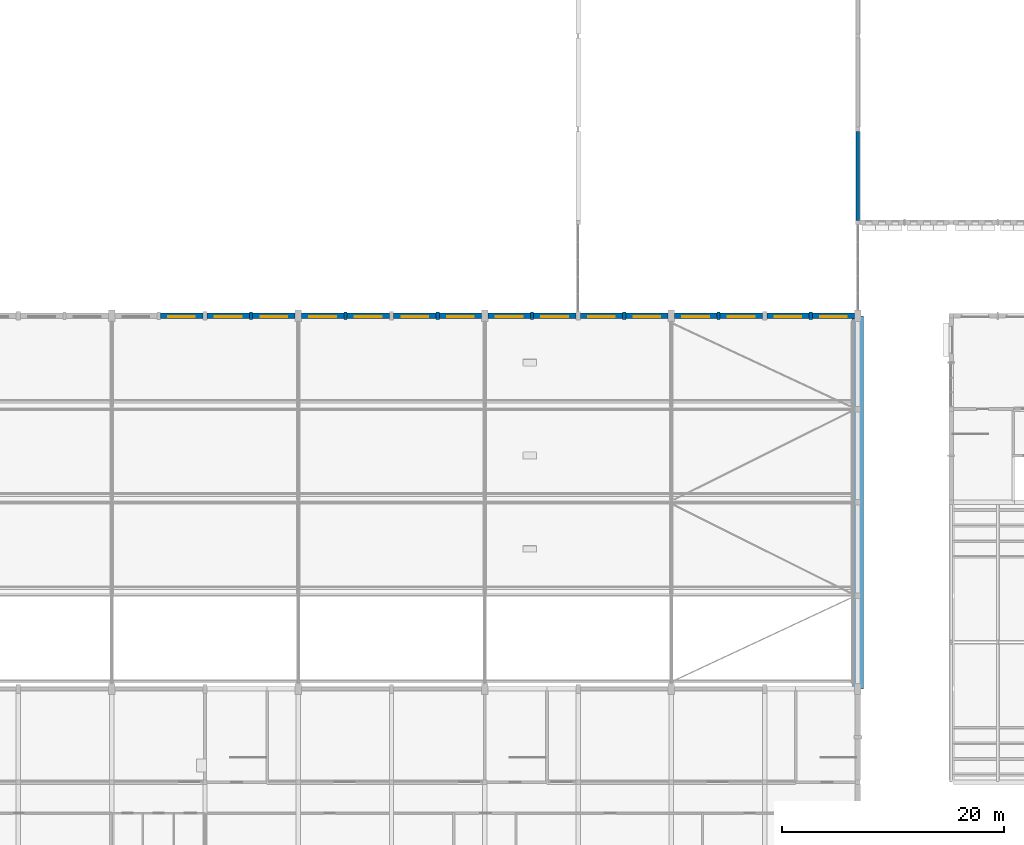
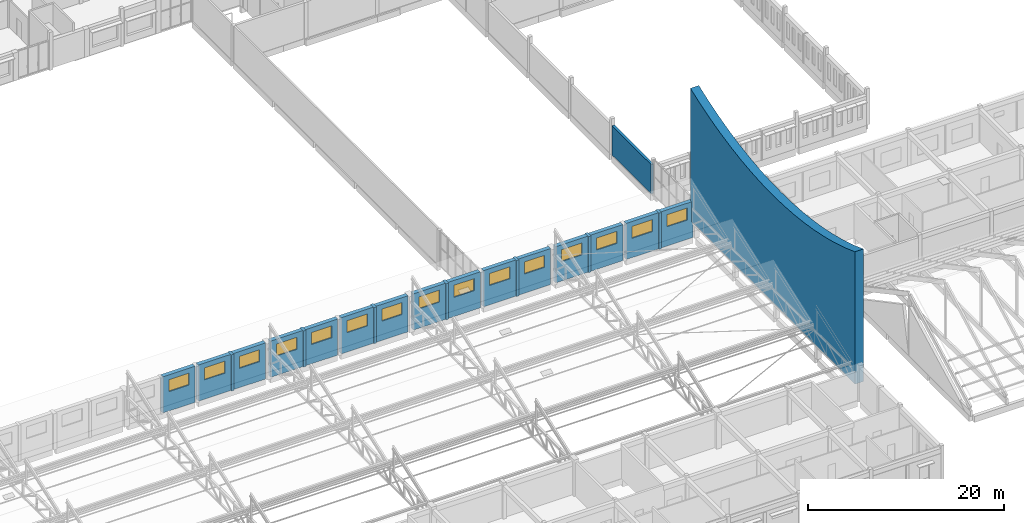
# One storey, part 76 of 101: 24 walls, 15 windows, 15 openings.
"""IFC4 building model written with IfcOpenShell, lengths in metres."""

from ifc_helpers import new_model, si_unit, direction, frame, frame_2d, origin, place, context, subcontext, project, spatial, polyline, rectangle, outline, extrude, material, layer, layer_set, type_object, element, fill, save


model = new_model("IFC4")

# Units and contexts
model_context = context("Model", 3, precision=1e-05, world=origin(), true_north=direction((0.0, 1.0)))
body_context = subcontext(model_context, "Body", "Model", "MODEL_VIEW")
ifc_project = project(units=[si_unit("LENGTHUNIT", "METRE"), si_unit("AREAUNIT", "SQUARE_METRE"), si_unit("VOLUMEUNIT", "CUBIC_METRE"), si_unit("PLANEANGLEUNIT", "RADIAN"), si_unit("MASSUNIT", "GRAM", prefix="KILO")], contexts=[model_context])

# Site, building, storey
site_placement = place(None, origin())
site = spatial("IfcSite", under=ifc_project, at=site_placement, CompositionType="ELEMENT")
building_placement = place(site_placement, origin())
building = spatial("IfcBuilding", under=site, at=building_placement, Name="Fescue Hill Polytechnic", CompositionType="ELEMENT")
storey_placement = place(building_placement, frame((0.0, 0.0, 9.0)))
storey = spatial("IfcBuildingStorey", under=building, at=storey_placement, Name="L02", CompositionType="ELEMENT", Elevation=9.0)

# Wall
ifc_material_1 = material(Name="Clay brick masonry", Category="masonry")
ifc_layer_1 = layer(ifc_material_1, 1.0)
ifc_layer_set_1 = layer_set([ifc_layer_1], Name="Clay brick masonry")
wall_type_1 = type_object("IfcWallType", Name="Brick crest wall 1000", PredefinedType="SOLIDWALL", material=ifc_layer_set_1)
wall_1_placement = place(storey_placement, frame((117.60009765625, 16.800048828125, 2.0), z_axis=(0.0, 0.0, 1.0), x_axis=(0.0, 1.0, 0.0)))
element("IfcWall", 1, at=wall_1_placement, inside=storey, type_object=wall_type_1, Name="Hall east gable crest", PredefinedType="SOLIDWALL", context=body_context, shape_type="SweptSolid", body=[
    extrude(outline(polyline([(0.0, 0.0), (33.599853515625, 0.0), (33.60009765625, 16.5), (31.5, 15.7529296875), (29.39990234375, 15.115234375), (27.300048828125, 14.582763671875), (25.199951171875, 14.151611328125), (23.10009765625, 13.819091796875), (21.0, 13.5830078125), (18.89990234375, 13.44189453125), (16.800048828125, 13.39501953125), (14.699951171875, 13.44189453125), (12.60009765625, 13.5830078125), (10.5, 13.819091796875), (8.39990234375, 14.151611328125), (6.300048828125, 14.582763671875), (4.199951171875, 15.115234375), (2.10009765625, 15.7529296875), (0.0, 16.5), (0.0, 0.0)])), frame((0.0, 0.5, 0.0), z_axis=(0.0, -1.0, 0.0), x_axis=(1.0, 0.0, 0.0)), (0.0, 0.0, 1.0), 1.0),
])

# Wall, opening, window
ifc_layer_2 = layer(ifc_material_1, 0.47998046875)
ifc_layer_set_2 = layer_set([ifc_layer_2], Name="Clay brick masonry")
wall_type_2 = type_object("IfcWallType", Name="Exterior wall engineering brick cavity 480", PredefinedType="SOLIDWALL", material=ifc_layer_set_2)
wall_2_placement = place(storey_placement, frame((117.300048828125, 50.39990234375, 0.0), z_axis=(0.0, 0.0, 1.0), x_axis=(-1.0, 0.0, 0.0)))
wall_2 = element("IfcWall", 2, at=wall_2_placement, inside=storey, type_object=wall_type_2, Name="EW-L02-V1-51", PredefinedType="SOLIDWALL", context=body_context, shape_type="SweptSolid", body=[
    extrude(rectangle(XDim=3.800048828125, YDim=0.47998046875, at=frame_2d((1.89990234375, 0.0))), origin(), (0.0, 0.0, 1.0), 4.5),
])
opening_1_placement = place(wall_2_placement, frame((0.699951171875, 0.0, 2.39990234375)))
opening_1 = element("IfcOpeningElement", 3, at=opening_1_placement, cuts=wall_2, Name="Opening W2", PredefinedType="OPENING", context=body_context, shape_type="SweptSolid", body=[
    extrude(rectangle(XDim=2.39990234375, YDim=1.5, at=frame_2d((1.199951171875, 0.75))), frame((0.0, 0.25, 0.0), z_axis=(0.0, -1.0, 0.0), x_axis=(1.0, 0.0, 0.0)), (0.0, 0.0, 1.0), 0.5),
])
ifc_material_2 = material(Name="Powder-coated aluminium and glass", Category="aluminium")
window_type = type_object("IfcWindowType", Name="Window workshop high 2400x1500", PartitioningType="TRIPLE_PANEL_VERTICAL", PredefinedType="WINDOW", material=ifc_material_2)
window_1_placement = place(opening_1_placement, origin())
window_1 = element("IfcWindow", 4, at=window_1_placement, inside=storey, type_object=window_type, Name="WN-L02-V1-27", OverallHeight=1.5, OverallWidth=2.39990234375, PartitioningType="SINGLE_PANEL", PredefinedType="WINDOW", context=body_context, shape_type="SweptSolid", body=[
    extrude(rectangle(XDim=2.39990234375, YDim=1.5, at=frame_2d((1.199951171875, 0.75))), frame((0.0, 0.1201171875, 0.0), z_axis=(0.0, -1.0, 0.0), x_axis=(1.0, 0.0, 0.0)), (0.0, 0.0, 1.0), 0.06005859375),
])
fill(opening_1, window_1)

wall_3_placement = place(storey_placement, frame((113.199951171875, 50.39990234375, 0.0), z_axis=(0.0, 0.0, 1.0), x_axis=(-1.0, 0.0, 0.0)))
wall_3 = element("IfcWall", 5, at=wall_3_placement, inside=storey, type_object=wall_type_2, Name="EW-L02-V1-52", PredefinedType="SOLIDWALL", context=body_context, shape_type="SweptSolid", body=[
    extrude(rectangle(XDim=3.800048828125, YDim=0.47998046875, at=frame_2d((1.89990234375, 0.0))), origin(), (0.0, 0.0, 1.0), 4.5),
])
opening_2_placement = place(wall_3_placement, frame((0.699951171875, 0.0, 2.39990234375)))
opening_2 = element("IfcOpeningElement", 6, at=opening_2_placement, cuts=wall_3, Name="Opening W2", PredefinedType="OPENING", context=body_context, shape_type="SweptSolid", body=[
    extrude(rectangle(XDim=2.39990234375, YDim=1.5, at=frame_2d((1.199951171875, 0.75))), frame((0.0, 0.25, 0.0), z_axis=(0.0, -1.0, 0.0), x_axis=(1.0, 0.0, 0.0)), (0.0, 0.0, 1.0), 0.5),
])
window_2_placement = place(opening_2_placement, origin())
window_2 = element("IfcWindow", 7, at=window_2_placement, inside=storey, type_object=window_type, Name="WN-L02-V1-28", OverallHeight=1.5, OverallWidth=2.39990234375, PartitioningType="SINGLE_PANEL", PredefinedType="WINDOW", context=body_context, shape_type="SweptSolid", body=[
    extrude(rectangle(XDim=2.39990234375, YDim=1.5, at=frame_2d((1.199951171875, 0.75))), frame((0.0, 0.1201171875, 0.0), z_axis=(0.0, -1.0, 0.0), x_axis=(1.0, 0.0, 0.0)), (0.0, 0.0, 1.0), 0.06005859375),
])
fill(opening_2, window_2)

wall_4_placement = place(storey_placement, frame((109.0, 50.39990234375, 0.0), z_axis=(0.0, 0.0, 1.0), x_axis=(-1.0, 0.0, 0.0)))
wall_4 = element("IfcWall", 8, at=wall_4_placement, inside=storey, type_object=wall_type_2, Name="EW-L02-V1-53", PredefinedType="SOLIDWALL", context=body_context, shape_type="SweptSolid", body=[
    extrude(rectangle(XDim=3.800048828125, YDim=0.47998046875, at=frame_2d((1.89990234375, 0.0))), origin(), (0.0, 0.0, 1.0), 4.5),
])
opening_3_placement = place(wall_4_placement, frame((0.699951171875, 0.0, 2.39990234375)))
opening_3 = element("IfcOpeningElement", 9, at=opening_3_placement, cuts=wall_4, Name="Opening W2", PredefinedType="OPENING", context=body_context, shape_type="SweptSolid", body=[
    extrude(rectangle(XDim=2.39990234375, YDim=1.5, at=frame_2d((1.199951171875, 0.75))), frame((0.0, 0.25, 0.0), z_axis=(0.0, -1.0, 0.0), x_axis=(1.0, 0.0, 0.0)), (0.0, 0.0, 1.0), 0.5),
])
window_3_placement = place(opening_3_placement, origin())
window_3 = element("IfcWindow", 10, at=window_3_placement, inside=storey, type_object=window_type, Name="WN-L02-V1-29", OverallHeight=1.5, OverallWidth=2.39990234375, PartitioningType="SINGLE_PANEL", PredefinedType="WINDOW", context=body_context, shape_type="SweptSolid", body=[
    extrude(rectangle(XDim=2.39990234375, YDim=1.5, at=frame_2d((1.199951171875, 0.75))), frame((0.0, 0.1201171875, 0.0), z_axis=(0.0, -1.0, 0.0), x_axis=(1.0, 0.0, 0.0)), (0.0, 0.0, 1.0), 0.06005859375),
])
fill(opening_3, window_3)

wall_5_placement = place(storey_placement, frame((104.89990234375, 50.39990234375, 0.0), z_axis=(0.0, 0.0, 1.0), x_axis=(-1.0, 0.0, 0.0)))
wall_5 = element("IfcWall", 11, at=wall_5_placement, inside=storey, type_object=wall_type_2, Name="EW-L02-V1-54", PredefinedType="SOLIDWALL", context=body_context, shape_type="SweptSolid", body=[
    extrude(rectangle(XDim=3.7998046875, YDim=0.47998046875, at=frame_2d((1.89990234375, 0.0))), origin(), (0.0, 0.0, 1.0), 4.5),
])
opening_4_placement = place(wall_5_placement, frame((0.699951171875, 0.0, 2.39990234375)))
opening_4 = element("IfcOpeningElement", 12, at=opening_4_placement, cuts=wall_5, Name="Opening W2", PredefinedType="OPENING", context=body_context, shape_type="SweptSolid", body=[
    extrude(rectangle(XDim=2.39990234375, YDim=1.5, at=frame_2d((1.199951171875, 0.75))), frame((0.0, 0.25, 0.0), z_axis=(0.0, -1.0, 0.0), x_axis=(1.0, 0.0, 0.0)), (0.0, 0.0, 1.0), 0.5),
])
window_4_placement = place(opening_4_placement, origin())
window_4 = element("IfcWindow", 13, at=window_4_placement, inside=storey, type_object=window_type, Name="WN-L02-V1-30", OverallHeight=1.5, OverallWidth=2.39990234375, PartitioningType="SINGLE_PANEL", PredefinedType="WINDOW", context=body_context, shape_type="SweptSolid", body=[
    extrude(rectangle(XDim=2.39990234375, YDim=1.5, at=frame_2d((1.199951171875, 0.75))), frame((0.0, 0.1201171875, 0.0), z_axis=(0.0, -1.0, 0.0), x_axis=(1.0, 0.0, 0.0)), (0.0, 0.0, 1.0), 0.06005859375),
])
fill(opening_4, window_4)

wall_6_placement = place(storey_placement, frame((100.5, 50.39990234375, 0.0), z_axis=(0.0, 0.0, 1.0), x_axis=(-1.0, 0.0, 0.0)))
wall_6 = element("IfcWall", 14, at=wall_6_placement, inside=storey, type_object=wall_type_2, Name="EW-L02-V1-55", PredefinedType="SOLIDWALL", context=body_context, shape_type="SweptSolid", body=[
    extrude(rectangle(XDim=3.800048828125, YDim=0.47998046875, at=frame_2d((1.89990234375, 0.0))), origin(), (0.0, 0.0, 1.0), 4.5),
])
opening_5_placement = place(wall_6_placement, frame((0.699951171875, 0.0, 2.39990234375)))
opening_5 = element("IfcOpeningElement", 15, at=opening_5_placement, cuts=wall_6, Name="Opening W2", PredefinedType="OPENING", context=body_context, shape_type="SweptSolid", body=[
    extrude(rectangle(XDim=2.39990234375, YDim=1.5, at=frame_2d((1.199951171875, 0.75))), frame((0.0, 0.25, 0.0), z_axis=(0.0, -1.0, 0.0), x_axis=(1.0, 0.0, 0.0)), (0.0, 0.0, 1.0), 0.5),
])
window_5_placement = place(opening_5_placement, origin())
window_5 = element("IfcWindow", 16, at=window_5_placement, inside=storey, type_object=window_type, Name="WN-L02-V1-31", OverallHeight=1.5, OverallWidth=2.39990234375, PartitioningType="SINGLE_PANEL", PredefinedType="WINDOW", context=body_context, shape_type="SweptSolid", body=[
    extrude(rectangle(XDim=2.39990234375, YDim=1.5, at=frame_2d((1.199951171875, 0.75))), frame((0.0, 0.1201171875, 0.0), z_axis=(0.0, -1.0, 0.0), x_axis=(1.0, 0.0, 0.0)), (0.0, 0.0, 1.0), 0.06005859375),
])
fill(opening_5, window_5)

wall_7_placement = place(storey_placement, frame((96.39990234375, 50.39990234375, 0.0), z_axis=(0.0, 0.0, 1.0), x_axis=(-1.0, 0.0, 0.0)))
wall_7 = element("IfcWall", 17, at=wall_7_placement, inside=storey, type_object=wall_type_2, Name="EW-L02-V1-56", PredefinedType="SOLIDWALL", context=body_context, shape_type="SweptSolid", body=[
    extrude(rectangle(XDim=3.7998046875, YDim=0.47998046875, at=frame_2d((1.89990234375, 0.0))), origin(), (0.0, 0.0, 1.0), 4.5),
])
opening_6_placement = place(wall_7_placement, frame((0.699951171875, 0.0, 2.39990234375)))
opening_6 = element("IfcOpeningElement", 18, at=opening_6_placement, cuts=wall_7, Name="Opening W2", PredefinedType="OPENING", context=body_context, shape_type="SweptSolid", body=[
    extrude(rectangle(XDim=2.39990234375, YDim=1.5, at=frame_2d((1.199951171875, 0.75))), frame((0.0, 0.25, 0.0), z_axis=(0.0, -1.0, 0.0), x_axis=(1.0, 0.0, 0.0)), (0.0, 0.0, 1.0), 0.5),
])
window_6_placement = place(opening_6_placement, origin())
window_6 = element("IfcWindow", 19, at=window_6_placement, inside=storey, type_object=window_type, Name="WN-L02-V1-32", OverallHeight=1.5, OverallWidth=2.39990234375, PartitioningType="SINGLE_PANEL", PredefinedType="WINDOW", context=body_context, shape_type="SweptSolid", body=[
    extrude(rectangle(XDim=2.39990234375, YDim=1.5, at=frame_2d((1.199951171875, 0.75))), frame((0.0, 0.1201171875, 0.0), z_axis=(0.0, -1.0, 0.0), x_axis=(1.0, 0.0, 0.0)), (0.0, 0.0, 1.0), 0.06005859375),
])
fill(opening_6, window_6)

wall_8_placement = place(storey_placement, frame((92.199951171875, 50.39990234375, 0.0), z_axis=(0.0, 0.0, 1.0), x_axis=(-1.0, 0.0, 0.0)))
wall_8 = element("IfcWall", 20, at=wall_8_placement, inside=storey, type_object=wall_type_2, Name="EW-L02-V1-57", PredefinedType="SOLIDWALL", context=body_context, shape_type="SweptSolid", body=[
    extrude(rectangle(XDim=3.800048828125, YDim=0.47998046875, at=frame_2d((1.89990234375, 0.0))), origin(), (0.0, 0.0, 1.0), 4.5),
])
opening_7_placement = place(wall_8_placement, frame((0.699951171875, 0.0, 2.39990234375)))
opening_7 = element("IfcOpeningElement", 21, at=opening_7_placement, cuts=wall_8, Name="Opening W2", PredefinedType="OPENING", context=body_context, shape_type="SweptSolid", body=[
    extrude(rectangle(XDim=2.39990234375, YDim=1.5, at=frame_2d((1.199951171875, 0.75))), frame((0.0, 0.25, 0.0), z_axis=(0.0, -1.0, 0.0), x_axis=(1.0, 0.0, 0.0)), (0.0, 0.0, 1.0), 0.5),
])
window_7_placement = place(opening_7_placement, origin())
window_7 = element("IfcWindow", 22, at=window_7_placement, inside=storey, type_object=window_type, Name="WN-L02-V1-33", OverallHeight=1.5, OverallWidth=2.39990234375, PartitioningType="SINGLE_PANEL", PredefinedType="WINDOW", context=body_context, shape_type="SweptSolid", body=[
    extrude(rectangle(XDim=2.39990234375, YDim=1.5, at=frame_2d((1.199951171875, 0.75))), frame((0.0, 0.1201171875, 0.0), z_axis=(0.0, -1.0, 0.0), x_axis=(1.0, 0.0, 0.0)), (0.0, 0.0, 1.0), 0.06005859375),
])
fill(opening_7, window_7)

wall_9_placement = place(storey_placement, frame((88.10009765625, 50.39990234375, 0.0), z_axis=(0.0, 0.0, 1.0), x_axis=(-1.0, 0.0, 0.0)))
wall_9 = element("IfcWall", 23, at=wall_9_placement, inside=storey, type_object=wall_type_2, Name="EW-L02-V1-58", PredefinedType="SOLIDWALL", context=body_context, shape_type="SweptSolid", body=[
    extrude(rectangle(XDim=3.800048828125, YDim=0.47998046875, at=frame_2d((1.89990234375, 0.0))), origin(), (0.0, 0.0, 1.0), 4.5),
])
opening_8_placement = place(wall_9_placement, frame((0.699951171875, 0.0, 2.39990234375)))
opening_8 = element("IfcOpeningElement", 24, at=opening_8_placement, cuts=wall_9, Name="Opening W2", PredefinedType="OPENING", context=body_context, shape_type="SweptSolid", body=[
    extrude(rectangle(XDim=2.39990234375, YDim=1.5, at=frame_2d((1.199951171875, 0.75))), frame((0.0, 0.25, 0.0), z_axis=(0.0, -1.0, 0.0), x_axis=(1.0, 0.0, 0.0)), (0.0, 0.0, 1.0), 0.5),
])
window_8_placement = place(opening_8_placement, origin())
window_8 = element("IfcWindow", 25, at=window_8_placement, inside=storey, type_object=window_type, Name="WN-L02-V1-34", OverallHeight=1.5, OverallWidth=2.39990234375, PartitioningType="SINGLE_PANEL", PredefinedType="WINDOW", context=body_context, shape_type="SweptSolid", body=[
    extrude(rectangle(XDim=2.39990234375, YDim=1.5, at=frame_2d((1.199951171875, 0.75))), frame((0.0, 0.1201171875, 0.0), z_axis=(0.0, -1.0, 0.0), x_axis=(1.0, 0.0, 0.0)), (0.0, 0.0, 1.0), 0.06005859375),
])
fill(opening_8, window_8)

wall_10_placement = place(storey_placement, frame((83.699951171875, 50.39990234375, 0.0), z_axis=(0.0, 0.0, 1.0), x_axis=(-1.0, 0.0, 0.0)))
wall_10 = element("IfcWall", 26, at=wall_10_placement, inside=storey, type_object=wall_type_2, Name="EW-L02-V1-59", PredefinedType="SOLIDWALL", context=body_context, shape_type="SweptSolid", body=[
    extrude(rectangle(XDim=3.800048828125, YDim=0.47998046875, at=frame_2d((1.89990234375, 0.0))), origin(), (0.0, 0.0, 1.0), 4.5),
])
opening_9_placement = place(wall_10_placement, frame((0.699951171875, 0.0, 2.39990234375)))
opening_9 = element("IfcOpeningElement", 27, at=opening_9_placement, cuts=wall_10, Name="Opening W2", PredefinedType="OPENING", context=body_context, shape_type="SweptSolid", body=[
    extrude(rectangle(XDim=2.39990234375, YDim=1.5, at=frame_2d((1.199951171875, 0.75))), frame((0.0, 0.25, 0.0), z_axis=(0.0, -1.0, 0.0), x_axis=(1.0, 0.0, 0.0)), (0.0, 0.0, 1.0), 0.5),
])
window_9_placement = place(opening_9_placement, origin())
window_9 = element("IfcWindow", 28, at=window_9_placement, inside=storey, type_object=window_type, Name="WN-L02-V1-35", OverallHeight=1.5, OverallWidth=2.39990234375, PartitioningType="SINGLE_PANEL", PredefinedType="WINDOW", context=body_context, shape_type="SweptSolid", body=[
    extrude(rectangle(XDim=2.39990234375, YDim=1.5, at=frame_2d((1.199951171875, 0.75))), frame((0.0, 0.1201171875, 0.0), z_axis=(0.0, -1.0, 0.0), x_axis=(1.0, 0.0, 0.0)), (0.0, 0.0, 1.0), 0.06005859375),
])
fill(opening_9, window_9)

wall_11_placement = place(storey_placement, frame((79.60009765625, 50.39990234375, 0.0), z_axis=(0.0, 0.0, 1.0), x_axis=(-1.0, 0.0, 0.0)))
wall_11 = element("IfcWall", 29, at=wall_11_placement, inside=storey, type_object=wall_type_2, Name="EW-L02-V1-60", PredefinedType="SOLIDWALL", context=body_context, shape_type="SweptSolid", body=[
    extrude(rectangle(XDim=3.800048828125, YDim=0.47998046875, at=frame_2d((1.89990234375, 0.0))), origin(), (0.0, 0.0, 1.0), 4.5),
])
opening_10_placement = place(wall_11_placement, frame((0.699951171875, 0.0, 2.39990234375)))
opening_10 = element("IfcOpeningElement", 30, at=opening_10_placement, cuts=wall_11, Name="Opening W2", PredefinedType="OPENING", context=body_context, shape_type="SweptSolid", body=[
    extrude(rectangle(XDim=2.39990234375, YDim=1.5, at=frame_2d((1.199951171875, 0.75))), frame((0.0, 0.25, 0.0), z_axis=(0.0, -1.0, 0.0), x_axis=(1.0, 0.0, 0.0)), (0.0, 0.0, 1.0), 0.5),
])
window_10_placement = place(opening_10_placement, origin())
window_10 = element("IfcWindow", 31, at=window_10_placement, inside=storey, type_object=window_type, Name="WN-L02-V1-36", OverallHeight=1.5, OverallWidth=2.39990234375, PartitioningType="SINGLE_PANEL", PredefinedType="WINDOW", context=body_context, shape_type="SweptSolid", body=[
    extrude(rectangle(XDim=2.39990234375, YDim=1.5, at=frame_2d((1.199951171875, 0.75))), frame((0.0, 0.1201171875, 0.0), z_axis=(0.0, -1.0, 0.0), x_axis=(1.0, 0.0, 0.0)), (0.0, 0.0, 1.0), 0.06005859375),
])
fill(opening_10, window_10)

wall_12_placement = place(storey_placement, frame((75.39990234375, 50.39990234375, 0.0), z_axis=(0.0, 0.0, 1.0), x_axis=(-1.0, 0.0, 0.0)))
wall_12 = element("IfcWall", 32, at=wall_12_placement, inside=storey, type_object=wall_type_2, Name="EW-L02-V1-61", PredefinedType="SOLIDWALL", context=body_context, shape_type="SweptSolid", body=[
    extrude(rectangle(XDim=3.7998046875, YDim=0.47998046875, at=frame_2d((1.89990234375, 0.0))), origin(), (0.0, 0.0, 1.0), 4.5),
])
opening_11_placement = place(wall_12_placement, frame((0.699951171875, 0.0, 2.39990234375)))
opening_11 = element("IfcOpeningElement", 33, at=opening_11_placement, cuts=wall_12, Name="Opening W2", PredefinedType="OPENING", context=body_context, shape_type="SweptSolid", body=[
    extrude(rectangle(XDim=2.39990234375, YDim=1.5, at=frame_2d((1.199951171875, 0.75))), frame((0.0, 0.25, 0.0), z_axis=(0.0, -1.0, 0.0), x_axis=(1.0, 0.0, 0.0)), (0.0, 0.0, 1.0), 0.5),
])
window_11_placement = place(opening_11_placement, origin())
window_11 = element("IfcWindow", 34, at=window_11_placement, inside=storey, type_object=window_type, Name="WN-L02-V1-37", OverallHeight=1.5, OverallWidth=2.39990234375, PartitioningType="SINGLE_PANEL", PredefinedType="WINDOW", context=body_context, shape_type="SweptSolid", body=[
    extrude(rectangle(XDim=2.39990234375, YDim=1.5, at=frame_2d((1.199951171875, 0.75))), frame((0.0, 0.1201171875, 0.0), z_axis=(0.0, -1.0, 0.0), x_axis=(1.0, 0.0, 0.0)), (0.0, 0.0, 1.0), 0.06005859375),
])
fill(opening_11, window_11)

wall_13_placement = place(storey_placement, frame((71.300048828125, 50.39990234375, 0.0), z_axis=(0.0, 0.0, 1.0), x_axis=(-1.0, 0.0, 0.0)))
wall_13 = element("IfcWall", 35, at=wall_13_placement, inside=storey, type_object=wall_type_2, Name="EW-L02-V1-62", PredefinedType="SOLIDWALL", context=body_context, shape_type="SweptSolid", body=[
    extrude(rectangle(XDim=3.800048828125, YDim=0.47998046875, at=frame_2d((1.89990234375, 0.0))), origin(), (0.0, 0.0, 1.0), 4.5),
])
opening_12_placement = place(wall_13_placement, frame((0.699951171875, 0.0, 2.39990234375)))
opening_12 = element("IfcOpeningElement", 36, at=opening_12_placement, cuts=wall_13, Name="Opening W2", PredefinedType="OPENING", context=body_context, shape_type="SweptSolid", body=[
    extrude(rectangle(XDim=2.39990234375, YDim=1.5, at=frame_2d((1.199951171875, 0.75))), frame((0.0, 0.25, 0.0), z_axis=(0.0, -1.0, 0.0), x_axis=(1.0, 0.0, 0.0)), (0.0, 0.0, 1.0), 0.5),
])
window_12_placement = place(opening_12_placement, origin())
window_12 = element("IfcWindow", 37, at=window_12_placement, inside=storey, type_object=window_type, Name="WN-L02-V1-38", OverallHeight=1.5, OverallWidth=2.39990234375, PartitioningType="SINGLE_PANEL", PredefinedType="WINDOW", context=body_context, shape_type="SweptSolid", body=[
    extrude(rectangle(XDim=2.39990234375, YDim=1.5, at=frame_2d((1.199951171875, 0.75))), frame((0.0, 0.1201171875, 0.0), z_axis=(0.0, -1.0, 0.0), x_axis=(1.0, 0.0, 0.0)), (0.0, 0.0, 1.0), 0.06005859375),
])
fill(opening_12, window_12)

wall_14_placement = place(storey_placement, frame((66.89990234375, 50.39990234375, 0.0), z_axis=(0.0, 0.0, 1.0), x_axis=(-1.0, 0.0, 0.0)))
wall_14 = element("IfcWall", 38, at=wall_14_placement, inside=storey, type_object=wall_type_2, Name="EW-L02-V1-63", PredefinedType="SOLIDWALL", context=body_context, shape_type="SweptSolid", body=[
    extrude(rectangle(XDim=3.7998046875, YDim=0.47998046875, at=frame_2d((1.89990234375, 0.0))), origin(), (0.0, 0.0, 1.0), 4.5),
])
opening_13_placement = place(wall_14_placement, frame((0.699951171875, 0.0, 2.39990234375)))
opening_13 = element("IfcOpeningElement", 39, at=opening_13_placement, cuts=wall_14, Name="Opening W2", PredefinedType="OPENING", context=body_context, shape_type="SweptSolid", body=[
    extrude(rectangle(XDim=2.39990234375, YDim=1.5, at=frame_2d((1.199951171875, 0.75))), frame((0.0, 0.25, 0.0), z_axis=(0.0, -1.0, 0.0), x_axis=(1.0, 0.0, 0.0)), (0.0, 0.0, 1.0), 0.5),
])
window_13_placement = place(opening_13_placement, origin())
window_13 = element("IfcWindow", 40, at=window_13_placement, inside=storey, type_object=window_type, Name="WN-L02-V1-39", OverallHeight=1.5, OverallWidth=2.39990234375, PartitioningType="SINGLE_PANEL", PredefinedType="WINDOW", context=body_context, shape_type="SweptSolid", body=[
    extrude(rectangle(XDim=2.39990234375, YDim=1.5, at=frame_2d((1.199951171875, 0.75))), frame((0.0, 0.1201171875, 0.0), z_axis=(0.0, -1.0, 0.0), x_axis=(1.0, 0.0, 0.0)), (0.0, 0.0, 1.0), 0.06005859375),
])
fill(opening_13, window_13)

wall_15_placement = place(storey_placement, frame((62.800048828125, 50.39990234375, 0.0), z_axis=(0.0, 0.0, 1.0), x_axis=(-1.0, 0.0, 0.0)))
wall_15 = element("IfcWall", 41, at=wall_15_placement, inside=storey, type_object=wall_type_2, Name="EW-L02-V1-64", PredefinedType="SOLIDWALL", context=body_context, shape_type="SweptSolid", body=[
    extrude(rectangle(XDim=3.800048828125, YDim=0.47998046875, at=frame_2d((1.89990234375, 0.0))), origin(), (0.0, 0.0, 1.0), 4.5),
])
opening_14_placement = place(wall_15_placement, frame((0.699951171875, 0.0, 2.39990234375)))
opening_14 = element("IfcOpeningElement", 42, at=opening_14_placement, cuts=wall_15, Name="Opening W2", PredefinedType="OPENING", context=body_context, shape_type="SweptSolid", body=[
    extrude(rectangle(XDim=2.39990234375, YDim=1.5, at=frame_2d((1.199951171875, 0.75))), frame((0.0, 0.25, 0.0), z_axis=(0.0, -1.0, 0.0), x_axis=(1.0, 0.0, 0.0)), (0.0, 0.0, 1.0), 0.5),
])
window_14_placement = place(opening_14_placement, origin())
window_14 = element("IfcWindow", 43, at=window_14_placement, inside=storey, type_object=window_type, Name="WN-L02-V1-40", OverallHeight=1.5, OverallWidth=2.39990234375, PartitioningType="SINGLE_PANEL", PredefinedType="WINDOW", context=body_context, shape_type="SweptSolid", body=[
    extrude(rectangle(XDim=2.39990234375, YDim=1.5, at=frame_2d((1.199951171875, 0.75))), frame((0.0, 0.1201171875, 0.0), z_axis=(0.0, -1.0, 0.0), x_axis=(1.0, 0.0, 0.0)), (0.0, 0.0, 1.0), 0.06005859375),
])
fill(opening_14, window_14)

wall_16_placement = place(storey_placement, frame((58.60009765625, 50.39990234375, 0.0), z_axis=(0.0, 0.0, 1.0), x_axis=(-1.0, 0.0, 0.0)))
wall_16 = element("IfcWall", 44, at=wall_16_placement, inside=storey, type_object=wall_type_2, Name="EW-L02-V1-65", PredefinedType="SOLIDWALL", context=body_context, shape_type="SweptSolid", body=[
    extrude(rectangle(XDim=3.800048828125, YDim=0.47998046875, at=frame_2d((1.89990234375, 0.0))), origin(), (0.0, 0.0, 1.0), 4.5),
])
opening_15_placement = place(wall_16_placement, frame((0.699951171875, 0.0, 2.39990234375)))
opening_15 = element("IfcOpeningElement", 45, at=opening_15_placement, cuts=wall_16, Name="Opening W2", PredefinedType="OPENING", context=body_context, shape_type="SweptSolid", body=[
    extrude(rectangle(XDim=2.39990234375, YDim=1.5, at=frame_2d((1.199951171875, 0.75))), frame((0.0, 0.25, 0.0), z_axis=(0.0, -1.0, 0.0), x_axis=(1.0, 0.0, 0.0)), (0.0, 0.0, 1.0), 0.5),
])
window_15_placement = place(opening_15_placement, origin())
window_15 = element("IfcWindow", 46, at=window_15_placement, inside=storey, type_object=window_type, Name="WN-L02-V1-41", OverallHeight=1.5, OverallWidth=2.39990234375, PartitioningType="SINGLE_PANEL", PredefinedType="WINDOW", context=body_context, shape_type="SweptSolid", body=[
    extrude(rectangle(XDim=2.39990234375, YDim=1.5, at=frame_2d((1.199951171875, 0.75))), frame((0.0, 0.1201171875, 0.0), z_axis=(0.0, -1.0, 0.0), x_axis=(1.0, 0.0, 0.0)), (0.0, 0.0, 1.0), 0.06005859375),
])
fill(opening_15, window_15)

# Walls
ifc_material_3 = material(Name="Concrete 40 MPa", Category="concrete")
ifc_layer_3 = layer(ifc_material_3, 0.699951171875)
ifc_layer_set_3 = layer_set([ifc_layer_3], Name="Concrete 40 MPa")
wall_type_3 = type_object("IfcWallType", Name="Fin wall board-marked 300x700", PredefinedType="SOLIDWALL", material=ifc_layer_set_3)
for number, where, z_axis, x_axis, name in (
    (47, (113.5, 50.39990234375, 0.0), (0.0, 0.0, 1.0), (-1.0, 0.0, 0.0), "PR-L02-V1-19"),
    (48, (105.199951171875, 50.39990234375, 0.0), (0.0, 0.0, 1.0), (-1.0, 0.0, 0.0), "PR-L02-V1-20"),
    (49, (96.699951171875, 50.39990234375, 0.0), (0.0, 0.0, 1.0), (-1.0, 0.0, 0.0), "PR-L02-V1-21"),
):
    element("IfcWall", number, at=place(storey_placement, frame(where, z_axis=z_axis, x_axis=x_axis)), inside=storey, type_object=wall_type_3, Name=name, PredefinedType="SOLIDWALL", context=body_context, shape_type="SweptSolid", body=[
        extrude(rectangle(XDim=0.300048828125, YDim=0.699951171875, at=frame_2d((0.14990234375, 0.0))), origin(), (0.0, 0.0, 1.0), 4.5),
    ])
for number, where, z_axis, x_axis, name in (
    (50, (88.39990234375, 50.39990234375, 0.0), (0.0, 0.0, 1.0), (-1.0, 0.0, 0.0), "PR-L02-V1-22"),
    (51, (79.89990234375, 50.39990234375, 0.0), (0.0, 0.0, 1.0), (-1.0, 0.0, 0.0), "PR-L02-V1-23"),
):
    element("IfcWall", number, at=place(storey_placement, frame(where, z_axis=z_axis, x_axis=x_axis)), inside=storey, type_object=wall_type_3, Name=name, PredefinedType="SOLIDWALL", context=body_context, shape_type="SweptSolid", body=[
        extrude(rectangle(XDim=0.2998046875, YDim=0.699951171875, at=frame_2d((0.14990234375, 0.0))), origin(), (0.0, 0.0, 1.0), 4.5),
    ])
for number, where, z_axis, x_axis, name in (
    (52, (71.60009765625, 50.39990234375, 0.0), (0.0, 0.0, 1.0), (-1.0, 0.0, 0.0), "PR-L02-V1-24"),
    (53, (63.10009765625, 50.39990234375, 0.0), (0.0, 0.0, 1.0), (-1.0, 0.0, 0.0), "PR-L02-V1-25"),
):
    element("IfcWall", number, at=place(storey_placement, frame(where, z_axis=z_axis, x_axis=x_axis)), inside=storey, type_object=wall_type_3, Name=name, PredefinedType="SOLIDWALL", context=body_context, shape_type="SweptSolid", body=[
        extrude(rectangle(XDim=0.300048828125, YDim=0.699951171875, at=frame_2d((0.14990234375, 0.0))), origin(), (0.0, 0.0, 1.0), 4.5),
    ])
ifc_layer_4 = layer(ifc_material_3, 0.300048828125)
ifc_layer_set_4 = layer_set([ifc_layer_4], Name="Concrete 40 MPa")
wall_type_4 = type_object("IfcWallType", Name="Hall wall concrete 300 fire rated", PredefinedType="SOLIDWALL", material=ifc_layer_set_4)
wall_17_placement = place(storey_placement, frame((117.60009765625, 67.0, 0.0), z_axis=(0.0, 0.0, 1.0), x_axis=(0.0, -1.0, 0.0)))
element("IfcWall", 54, at=wall_17_placement, inside=storey, type_object=wall_type_4, Name="EW-L02-V2-31", PredefinedType="SOLIDWALL", context=body_context, shape_type="SweptSolid", body=[
    extrude(rectangle(XDim=8.0, YDim=0.300048828125, at=frame_2d((4.0, 0.0))), origin(), (0.0, 0.0, 1.0), 3.64990234375),
])

save(model, "model.ifc")
